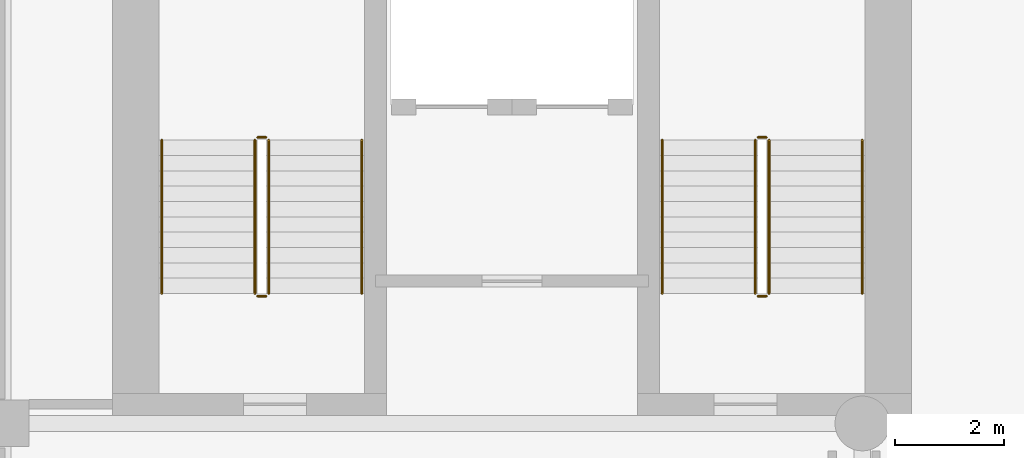
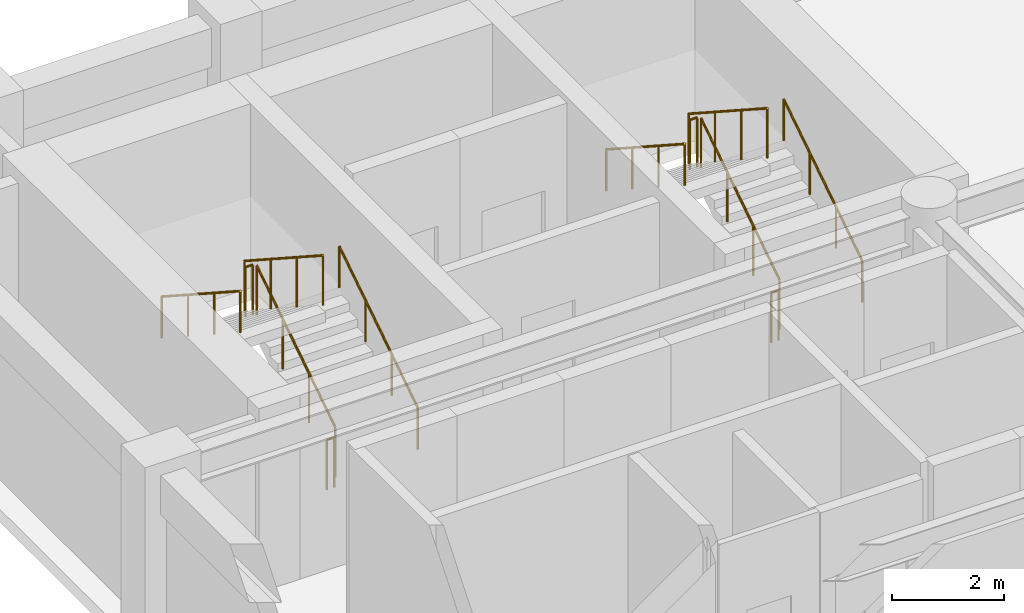
# One storey, part 7 of 8: 12 railings.
"""IFC4 building model written with IfcOpenShell, lengths in metres."""

from ifc_helpers import new_model, si_unit, direction, frame, origin, origin_2d, place, context, subcontext, project, spatial, circle, extrude, material, type_object, element, save


model = new_model("IFC4")

# Units and contexts
model_context = context("Model", 3, precision=1e-05, world=origin(), true_north=direction((0.0, 1.0)))
body_context = subcontext(model_context, "Body", "Model", "MODEL_VIEW")
ifc_project = project(units=[si_unit("LENGTHUNIT", "METRE"), si_unit("AREAUNIT", "SQUARE_METRE"), si_unit("VOLUMEUNIT", "CUBIC_METRE"), si_unit("PLANEANGLEUNIT", "RADIAN"), si_unit("MASSUNIT", "GRAM", prefix="KILO")], contexts=[model_context])

# Site, building, storey
site_placement = place(None, origin())
site = spatial("IfcSite", under=ifc_project, at=site_placement, CompositionType="ELEMENT")
building_placement = place(site_placement, origin())
building = spatial("IfcBuilding", under=site, at=building_placement, Name="Sulina Concourse Tower", CompositionType="ELEMENT")
storey_placement = place(building_placement, frame((0.0, 0.0, 152.60009765625)))
storey = spatial("IfcBuildingStorey", under=building, at=storey_placement, Name="L37", CompositionType="ELEMENT", Elevation=152.60009765625)

# Railings
ifc_material_1 = material(Name="Galvanised steel railing", Category="steel")
railing_type_1 = type_object("IfcRailingType", Name="Core Stair Steel Guardrail 1150mm", PredefinedType="GUARDRAIL", material=ifc_material_1)
railing_1_placement = place(storey_placement, frame((5.554931640625, 36.375, 0.181640625)))
element("IfcRailing", 1, at=railing_1_placement, inside=storey, type_object=railing_type_1, Name="L37 ST-1 stair guard 1", PredefinedType="GUARDRAIL", context=body_context, shape_type="SweptSolid", body=[
    extrude(circle(Radius=0.02392578125, at=origin_2d()), frame((0.0, 0.0, 1.076171875), z_axis=(0.0, 0.838672427954, 0.544636170843), x_axis=(-1.0, 0.0, 0.0)), (0.0, 0.0, 1.0), 3.338623046875),
    extrude(circle(Radius=0.02099609375, at=origin_2d()), origin(), (0.0, 0.0, 1.0), 1.052001953125),
    extrude(circle(Radius=0.02099609375, at=origin_2d()), frame((0.0, 0.933349609375, 0.606201171875)), (0.0, 0.0, 1.0), 1.052001953125),
    extrude(circle(Radius=0.02099609375, at=origin_2d()), frame((0.0, 1.86669921875, 1.212158203125)), (0.0, 0.0, 1.0), 1.052001953125),
    extrude(circle(Radius=0.02099609375, at=origin_2d()), frame((0.0, 2.800048828125, 1.818359375)), (0.0, 0.0, 1.0), 1.052001953125),
])
railing_2_placement = place(storey_placement, frame((5.5048828125, 39.22509765625, 2.0)))
element("IfcRailing", 2, at=railing_2_placement, inside=storey, type_object=railing_type_1, Name="L37 ST-1 stair guard 2", PredefinedType="GUARDRAIL", context=body_context, shape_type="SweptSolid", body=[
    extrude(circle(Radius=0.02392578125, at=origin_2d()), frame((0.0, 0.0, 1.076171875), z_axis=(-1.0, 0.0, 0.0), x_axis=(0.0, -1.0, 0.0)), (0.0, 0.0, 1.0), 0.14990234375),
    extrude(circle(Radius=0.02099609375, at=origin_2d()), origin(), (0.0, 0.0, 1.0), 1.052001953125),
    extrude(circle(Radius=0.02099609375, at=origin_2d()), frame((-0.14990234375, 0.0, 0.0)), (0.0, 0.0, 1.0), 1.052001953125),
])
railing_3_placement = place(storey_placement, frame((5.304931640625, 39.175048828125, 2.181640625)))
element("IfcRailing", 3, at=railing_3_placement, inside=storey, type_object=railing_type_1, Name="L37 ST-1 stair guard 3", PredefinedType="GUARDRAIL", context=body_context, shape_type="SweptSolid", body=[
    extrude(circle(Radius=0.02392578125, at=origin_2d()), frame((0.0, 0.0, 1.076171875), z_axis=(0.0, -0.838672427954, 0.544636170843), x_axis=(1.0, 0.0, 0.0)), (0.0, 0.0, 1.0), 3.338623046875),
    extrude(circle(Radius=0.02099609375, at=origin_2d()), origin(), (0.0, 0.0, 1.0), 1.052001953125),
    extrude(circle(Radius=0.02099609375, at=origin_2d()), frame((0.0, -0.933349609375, 0.606201171875)), (0.0, 0.0, 1.0), 1.052001953125),
    extrude(circle(Radius=0.02099609375, at=origin_2d()), frame((0.0, -1.86669921875, 1.212158203125)), (0.0, 0.0, 1.0), 1.052001953125),
    extrude(circle(Radius=0.02099609375, at=origin_2d()), frame((0.0, -2.800048828125, 1.818359375)), (0.0, 0.0, 1.0), 1.052001953125),
])
railing_4_placement = place(storey_placement, frame((5.5048828125, 36.324951171875, 0.0)))
element("IfcRailing", 4, at=railing_4_placement, inside=storey, type_object=railing_type_1, Name="L37 ST-1 stair guard 4", PredefinedType="GUARDRAIL", context=body_context, shape_type="SweptSolid", body=[
    extrude(circle(Radius=0.02392578125, at=origin_2d()), frame((0.0, 0.0, 1.076171875), z_axis=(-1.0, 0.0, 0.0), x_axis=(0.0, -1.0, 0.0)), (0.0, 0.0, 1.0), 0.14990234375),
    extrude(circle(Radius=0.02099609375, at=origin_2d()), origin(), (0.0, 0.0, 1.0), 1.052001953125),
    extrude(circle(Radius=0.02099609375, at=origin_2d()), frame((-0.14990234375, 0.0, 0.0)), (0.0, 0.0, 1.0), 1.052001953125),
])
railing_5_placement = place(storey_placement, frame((14.695068359375, 36.375, 0.181640625)))
element("IfcRailing", 5, at=railing_5_placement, inside=storey, type_object=railing_type_1, Name="L37 ST-2 stair guard 1", PredefinedType="GUARDRAIL", context=body_context, shape_type="SweptSolid", body=[
    extrude(circle(Radius=0.02392578125, at=origin_2d()), frame((0.0, 0.0, 1.076171875), z_axis=(0.0, 0.838672427954, 0.544636170843), x_axis=(-1.0, 0.0, 0.0)), (0.0, 0.0, 1.0), 3.338623046875),
    extrude(circle(Radius=0.02099609375, at=origin_2d()), origin(), (0.0, 0.0, 1.0), 1.052001953125),
    extrude(circle(Radius=0.02099609375, at=origin_2d()), frame((0.0, 0.933349609375, 0.606201171875)), (0.0, 0.0, 1.0), 1.052001953125),
    extrude(circle(Radius=0.02099609375, at=origin_2d()), frame((0.0, 1.86669921875, 1.212158203125)), (0.0, 0.0, 1.0), 1.052001953125),
    extrude(circle(Radius=0.02099609375, at=origin_2d()), frame((0.0, 2.800048828125, 1.818359375)), (0.0, 0.0, 1.0), 1.052001953125),
])
railing_6_placement = place(storey_placement, frame((14.64501953125, 39.22509765625, 2.0)))
element("IfcRailing", 6, at=railing_6_placement, inside=storey, type_object=railing_type_1, Name="L37 ST-2 stair guard 2", PredefinedType="GUARDRAIL", context=body_context, shape_type="SweptSolid", body=[
    extrude(circle(Radius=0.02392578125, at=origin_2d()), frame((0.0, 0.0, 1.076171875), z_axis=(-1.0, 0.0, 0.0), x_axis=(0.0, -1.0, 0.0)), (0.0, 0.0, 1.0), 0.14990234375),
    extrude(circle(Radius=0.02099609375, at=origin_2d()), origin(), (0.0, 0.0, 1.0), 1.052001953125),
    extrude(circle(Radius=0.02099609375, at=origin_2d()), frame((-0.14990234375, 0.0, 0.0)), (0.0, 0.0, 1.0), 1.052001953125),
])
railing_7_placement = place(storey_placement, frame((14.445068359375, 39.175048828125, 2.181640625)))
element("IfcRailing", 7, at=railing_7_placement, inside=storey, type_object=railing_type_1, Name="L37 ST-2 stair guard 3", PredefinedType="GUARDRAIL", context=body_context, shape_type="SweptSolid", body=[
    extrude(circle(Radius=0.02392578125, at=origin_2d()), frame((0.0, 0.0, 1.076171875), z_axis=(0.0, -0.838672427954, 0.544636170843), x_axis=(1.0, 0.0, 0.0)), (0.0, 0.0, 1.0), 3.338623046875),
    extrude(circle(Radius=0.02099609375, at=origin_2d()), origin(), (0.0, 0.0, 1.0), 1.052001953125),
    extrude(circle(Radius=0.02099609375, at=origin_2d()), frame((0.0, -0.933349609375, 0.606201171875)), (0.0, 0.0, 1.0), 1.052001953125),
    extrude(circle(Radius=0.02099609375, at=origin_2d()), frame((0.0, -1.86669921875, 1.212158203125)), (0.0, 0.0, 1.0), 1.052001953125),
    extrude(circle(Radius=0.02099609375, at=origin_2d()), frame((0.0, -2.800048828125, 1.818359375)), (0.0, 0.0, 1.0), 1.052001953125),
])
railing_8_placement = place(storey_placement, frame((14.64501953125, 36.324951171875, 0.0)))
element("IfcRailing", 8, at=railing_8_placement, inside=storey, type_object=railing_type_1, Name="L37 ST-2 stair guard 4", PredefinedType="GUARDRAIL", context=body_context, shape_type="SweptSolid", body=[
    extrude(circle(Radius=0.02392578125, at=origin_2d()), frame((0.0, 0.0, 1.076171875), z_axis=(-1.0, 0.0, 0.0), x_axis=(0.0, -1.0, 0.0)), (0.0, 0.0, 1.0), 0.14990234375),
    extrude(circle(Radius=0.02099609375, at=origin_2d()), origin(), (0.0, 0.0, 1.0), 1.052001953125),
    extrude(circle(Radius=0.02099609375, at=origin_2d()), frame((-0.14990234375, 0.0, 0.0)), (0.0, 0.0, 1.0), 1.052001953125),
])
ifc_material_2 = material(Name="Galvanised steel railing", Category="steel")
railing_type_2 = type_object("IfcRailingType", Name="Stair Wall Steel Handrail 920mm", PredefinedType="HANDRAIL", material=ifc_material_2)
railing_9_placement = place(storey_placement, frame((7.2548828125, 36.375, 0.181640625)))
element("IfcRailing", 9, at=railing_9_placement, inside=storey, type_object=railing_type_2, Name="L37 ST-1 stair handrail 1", PredefinedType="HANDRAIL", context=body_context, shape_type="SweptSolid", body=[
    extrude(circle(Radius=0.02392578125, at=origin_2d()), frame((0.0, 0.0, 0.89599609375), z_axis=(0.0, 0.838672427954, 0.544636170843), x_axis=(-1.0, 0.0, 0.0)), (0.0, 0.0, 1.0), 3.338623046875),
    extrude(circle(Radius=0.02099609375, at=origin_2d()), origin(), (0.0, 0.0, 1.0), 0.871826171875),
    extrude(circle(Radius=0.02099609375, at=origin_2d()), frame((0.0, 0.933349609375, 0.606201171875)), (0.0, 0.0, 1.0), 0.871826171875),
    extrude(circle(Radius=0.02099609375, at=origin_2d()), frame((0.0, 1.86669921875, 1.212158203125)), (0.0, 0.0, 1.0), 0.871826171875),
    extrude(circle(Radius=0.02099609375, at=origin_2d()), frame((0.0, 2.800048828125, 1.818359375)), (0.0, 0.0, 1.0), 0.871826171875),
])
railing_10_placement = place(storey_placement, frame((3.60498046875, 39.175048828125, 2.181640625)))
element("IfcRailing", 10, at=railing_10_placement, inside=storey, type_object=railing_type_2, Name="L37 ST-1 stair handrail 2", PredefinedType="HANDRAIL", context=body_context, shape_type="SweptSolid", body=[
    extrude(circle(Radius=0.02392578125, at=origin_2d()), frame((0.0, 0.0, 0.89599609375), z_axis=(0.0, -0.838672427954, 0.544636170843), x_axis=(1.0, 0.0, 0.0)), (0.0, 0.0, 1.0), 3.338623046875),
    extrude(circle(Radius=0.02099609375, at=origin_2d()), origin(), (0.0, 0.0, 1.0), 0.871826171875),
    extrude(circle(Radius=0.02099609375, at=origin_2d()), frame((0.0, -0.933349609375, 0.606201171875)), (0.0, 0.0, 1.0), 0.871826171875),
    extrude(circle(Radius=0.02099609375, at=origin_2d()), frame((0.0, -1.86669921875, 1.212158203125)), (0.0, 0.0, 1.0), 0.871826171875),
    extrude(circle(Radius=0.02099609375, at=origin_2d()), frame((0.0, -2.800048828125, 1.818359375)), (0.0, 0.0, 1.0), 0.871826171875),
])
railing_11_placement = place(storey_placement, frame((16.39501953125, 36.375, 0.181640625)))
element("IfcRailing", 11, at=railing_11_placement, inside=storey, type_object=railing_type_2, Name="L37 ST-2 stair handrail 1", PredefinedType="HANDRAIL", context=body_context, shape_type="SweptSolid", body=[
    extrude(circle(Radius=0.02392578125, at=origin_2d()), frame((0.0, 0.0, 0.89599609375), z_axis=(0.0, 0.838672427954, 0.544636170843), x_axis=(-1.0, 0.0, 0.0)), (0.0, 0.0, 1.0), 3.338623046875),
    extrude(circle(Radius=0.02099609375, at=origin_2d()), origin(), (0.0, 0.0, 1.0), 0.871826171875),
    extrude(circle(Radius=0.02099609375, at=origin_2d()), frame((0.0, 0.933349609375, 0.606201171875)), (0.0, 0.0, 1.0), 0.871826171875),
    extrude(circle(Radius=0.02099609375, at=origin_2d()), frame((0.0, 1.86669921875, 1.212158203125)), (0.0, 0.0, 1.0), 0.871826171875),
    extrude(circle(Radius=0.02099609375, at=origin_2d()), frame((0.0, 2.800048828125, 1.818359375)), (0.0, 0.0, 1.0), 0.871826171875),
])
railing_12_placement = place(storey_placement, frame((12.7451171875, 39.175048828125, 2.181640625)))
element("IfcRailing", 12, at=railing_12_placement, inside=storey, type_object=railing_type_2, Name="L37 ST-2 stair handrail 2", PredefinedType="HANDRAIL", context=body_context, shape_type="SweptSolid", body=[
    extrude(circle(Radius=0.02392578125, at=origin_2d()), frame((0.0, 0.0, 0.89599609375), z_axis=(0.0, -0.838672427954, 0.544636170843), x_axis=(1.0, 0.0, 0.0)), (0.0, 0.0, 1.0), 3.338623046875),
    extrude(circle(Radius=0.02099609375, at=origin_2d()), origin(), (0.0, 0.0, 1.0), 0.871826171875),
    extrude(circle(Radius=0.02099609375, at=origin_2d()), frame((0.0, -0.933349609375, 0.606201171875)), (0.0, 0.0, 1.0), 0.871826171875),
    extrude(circle(Radius=0.02099609375, at=origin_2d()), frame((0.0, -1.86669921875, 1.212158203125)), (0.0, 0.0, 1.0), 0.871826171875),
    extrude(circle(Radius=0.02099609375, at=origin_2d()), frame((0.0, -2.800048828125, 1.818359375)), (0.0, 0.0, 1.0), 0.871826171875),
])

save(model, "model.ifc")
